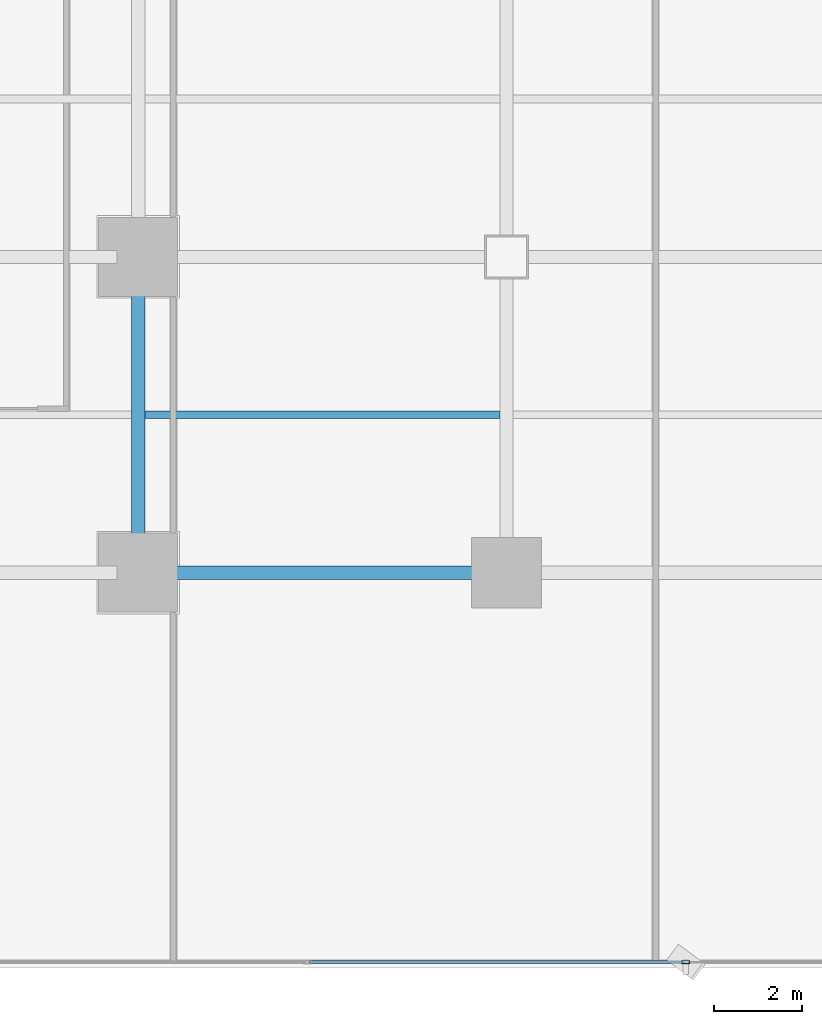
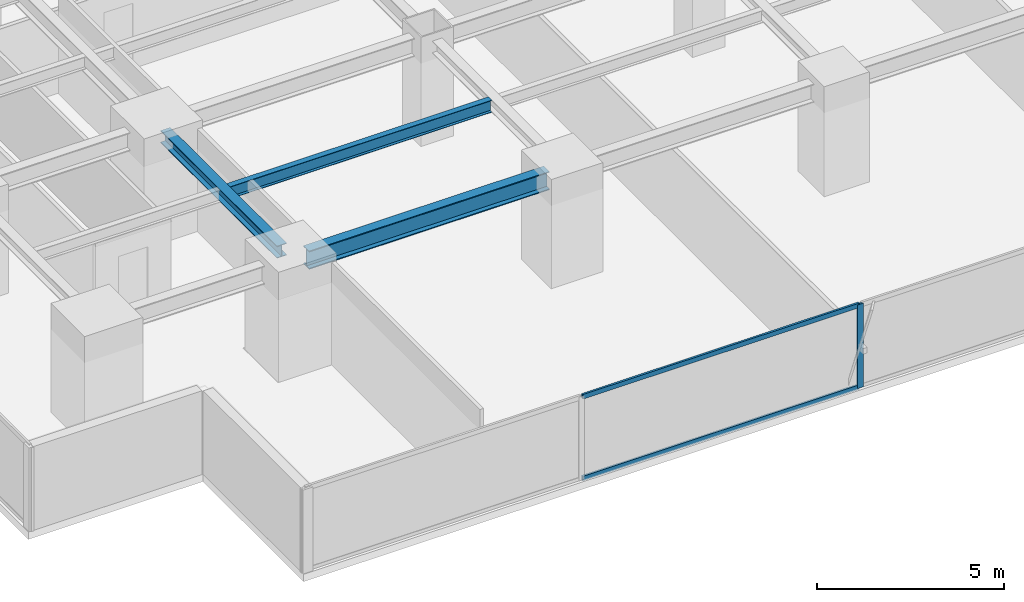
# One storey, part 4 of 33: 3 beams, 3 members, 1 element without a shape of its own.
"""IFC4 building model written with IfcOpenShell, lengths in metres."""

from ifc_helpers import new_model, si_unit, direction, frame, origin, origin_2d, place, context, subcontext, project, spatial, hollow_rectangle, i_section, extrude, source, transform, mapped, material, layer, layer_set, material_profile, profile_set, type_object, element, aggregate, save


model = new_model("IFC4")

# Units and contexts
model_context = context("Model", 3, precision=1e-05, world=origin(), true_north=direction((0.0, 1.0)))
body_context = subcontext(model_context, "Body", "Model", "MODEL_VIEW")
ifc_project = project(units=[si_unit("LENGTHUNIT", "METRE"), si_unit("AREAUNIT", "SQUARE_METRE"), si_unit("VOLUMEUNIT", "CUBIC_METRE"), si_unit("PLANEANGLEUNIT", "RADIAN"), si_unit("MASSUNIT", "GRAM", prefix="KILO")], contexts=[model_context])

# Site, building, storey
site_placement = place(None, origin())
site = spatial("IfcSite", under=ifc_project, at=site_placement, CompositionType="ELEMENT")
building_placement = place(site_placement, origin())
building = spatial("IfcBuilding", under=site, at=building_placement, Name="Sumidabori Civic Tower", CompositionType="ELEMENT")
storey_placement = place(building_placement, frame((0.0, 0.0, 27.199951171875)))
storey = spatial("IfcBuildingStorey", under=building, at=storey_placement, Name="L06", CompositionType="ELEMENT", Elevation=27.199951171875)

# Beams
ifc_material_1 = material(Name="Steel SN490", Category="steel")
ifc_material_profile_1 = material_profile(ifc_material_1, i_section(OverallWidth=0.300048828125, OverallDepth=0.60009765625, WebThickness=0.015380859375, FlangeThickness=0.030029296875, at=origin_2d()), Name="HE 600 B")
ifc_profile_set_1 = profile_set([ifc_material_profile_1], Name="Steel SN490")
beam_type_1 = type_object("IfcBeamType", Name="BM-GIRD-600", PredefinedType="BEAM", material=ifc_profile_set_1)
shared_shape_1 = source(origin(), body_context, "Body", "SweptSolid", [
    extrude(i_section(OverallWidth=0.300048828125, OverallDepth=0.60009765625, WebThickness=0.015380859375, FlangeThickness=0.030029296875, at=origin_2d()), origin(), (0.0, 0.0, 1.0), 7.440185546875),
])
beam_1_placement = place(storey_placement, frame((-16.320068359375, -18.0, 3.06005859375), z_axis=(1.0, 0.0, 0.0), x_axis=(0.0, 1.0, 0.0)))
element("IfcBeam", 1, at=beam_1_placement, inside=storey, type_object=beam_type_1, Name="Primary Girder L06 GX-02", PredefinedType="BEAM", context=body_context, shape_type="MappedRepresentation", body=[
    mapped(shared_shape_1, transform((0.0, 0.0, 0.0), x_axis=(1.0, 0.0, 0.0), y_axis=(0.0, 1.0, 0.0), z_axis=(0.0, 0.0, 1.0), scale=1.0)),
])
ifc_material_profile_2 = material_profile(ifc_material_1, i_section(OverallWidth=0.300048828125, OverallDepth=0.39990234375, WebThickness=0.013427734375, FlangeThickness=0.02392578125, at=origin_2d()), Name="HE 400 B")
ifc_profile_set_2 = profile_set([ifc_material_profile_2], Name="Steel SN490")
beam_type_2 = type_object("IfcBeamType", Name="BM-GIRD-400", PredefinedType="BEAM", material=ifc_profile_set_2)
shared_shape_2 = source(origin(), body_context, "Body", "SweptSolid", [
    extrude(i_section(OverallWidth=0.300048828125, OverallDepth=0.39990234375, WebThickness=0.013427734375, FlangeThickness=0.02392578125, at=origin_2d()), origin(), (0.0, 0.0, 1.0), 6.239990234375),
])
beam_2_placement = place(storey_placement, frame((-16.800048828125, -17.52001953125, 3.16015625), z_axis=(0.0, 1.0, 0.0), x_axis=(-1.0, 0.0, 0.0)))
element("IfcBeam", 2, at=beam_2_placement, inside=storey, type_object=beam_type_2, Name="Primary Girder L06 GY-25", PredefinedType="BEAM", context=body_context, shape_type="MappedRepresentation", body=[
    mapped(shared_shape_2, transform((0.0, 0.0, 0.0), x_axis=(1.0, 0.0, 0.0), y_axis=(0.0, 1.0, 0.0), z_axis=(0.0, 0.0, 1.0), scale=1.0)),
])
ifc_material_profile_3 = material_profile(ifc_material_1, i_section(OverallWidth=0.179931640625, OverallDepth=0.39990234375, WebThickness=0.008544921875, FlangeThickness=0.013427734375, at=origin_2d()), Name="IPE 400")
ifc_profile_set_3 = profile_set([ifc_material_profile_3], Name="Steel SN490")
beam_type_3 = type_object("IfcBeamType", Name="BM-JST-400", PredefinedType="JOIST", material=ifc_profile_set_3)
shared_shape_3 = source(origin(), body_context, "Body", "SweptSolid", [
    extrude(i_section(OverallWidth=0.179931640625, OverallDepth=0.39990234375, WebThickness=0.008544921875, FlangeThickness=0.013427734375, at=origin_2d()), origin(), (0.0, 0.0, 1.0), 8.099853515625),
])
beam_3_placement = place(storey_placement, frame((-16.64990234375, -14.39990234375, 3.16015625), z_axis=(1.0, 0.0, 0.0), x_axis=(0.0, 1.0, 0.0)))
element("IfcBeam", 3, at=beam_3_placement, inside=storey, type_object=beam_type_3, Name="South Bay Floor Joist L06 JSTS-61", PredefinedType="JOIST", context=body_context, shape_type="MappedRepresentation", body=[
    mapped(shared_shape_3, transform((0.0, 0.0, 0.0), x_axis=(1.0, 0.0, 0.0), y_axis=(0.0, 1.0, 0.0), z_axis=(0.0, 0.0, 1.0), scale=1.0)),
])

# Curtain wall, members
ifc_material_2 = material(Name="Anodised Bronze Aluminium AW-6063-T6", Category="aluminium")
ifc_layer = layer(ifc_material_2, 0.179931640625, Name="Anodised Bronze Aluminium AW-6063-T6")
ifc_layer_set = layer_set([ifc_layer], Name="Anodised Bronze Aluminium AW-6063-T6")
curtain_wall_type = type_object("IfcCurtainWallType", Name="CW-SYS-2", PredefinedType="NOTDEFINED", material=ifc_layer_set)
curtain_wall_placement = place(storey_placement, origin())
curtain_wall = element("IfcCurtainWall", 4, at=curtain_wall_placement, inside=storey, type_object=curtain_wall_type, Name="Curtain Wall CW:L06:R01", PredefinedType="NOTDEFINED")
ifc_material_profile_4 = material_profile(ifc_material_2, hollow_rectangle(XDim=0.070068359375, YDim=0.179931640625, WallThickness=0.006103515625, at=origin_2d()), Name="ALU MULLION 180x70")
ifc_profile_set_4 = profile_set([ifc_material_profile_4], Name="Anodised Bronze Aluminium AW-6063-T6")
member_type_1 = type_object("IfcMemberType", Name="CW-MUL-180", PredefinedType="MULLION", material=ifc_profile_set_4)
shared_shape_4 = source(origin(), body_context, "Body", "SweptSolid", [
    extrude(hollow_rectangle(XDim=0.070068359375, YDim=0.179931640625, WallThickness=0.006103515625, at=origin_2d()), origin(), (0.0, 0.0, 1.0), 2.739990234375),
])
member_1_placement = place(storey_placement, frame((-4.31396484375, -26.8798828125, 0.0), z_axis=(0.0, 0.0, 1.0), x_axis=(0.0, 1.0, 0.0)))
member_1 = element("IfcMember", 5, at=member_1_placement, type_object=member_type_1, Name="CW-2 mullion 3", PredefinedType="MULLION", context=body_context, shape_type="MappedRepresentation", body=[
    mapped(shared_shape_4, transform((0.0, 0.0, 0.0), x_axis=(1.0, 0.0, 0.0), y_axis=(0.0, 1.0, 0.0), z_axis=(0.0, 0.0, 1.0), scale=1.0)),
])
ifc_material_profile_5 = material_profile(ifc_material_2, hollow_rectangle(XDim=0.06494140625, YDim=0.14990234375, WallThickness=0.0048828125, at=origin_2d()), Name="ALU TRANSOM 150x65")
ifc_profile_set_5 = profile_set([ifc_material_profile_5], Name="Anodised Bronze Aluminium AW-6063-T6")
member_type_2 = type_object("IfcMemberType", Name="CW-TRN-150", PredefinedType="USERDEFINED", material=ifc_profile_set_5)
shared_shape_5 = source(origin(), body_context, "Body", "SweptSolid", [
    extrude(hollow_rectangle(XDim=0.06494140625, YDim=0.14990234375, WallThickness=0.0048828125, at=origin_2d()), origin(), (0.0, 0.0, 1.0), 8.557861328125),
])
member_2_placement = place(storey_placement, frame((-12.906982421875, -26.8798828125, 0.032470703125), z_axis=(1.0, 0.0, 0.0), x_axis=(0.0, 1.0, 0.0)))
member_2 = element("IfcMember", 6, at=member_2_placement, type_object=member_type_2, Name="CW-2 transom 2.1", ObjectType="TRANSOM", PredefinedType="USERDEFINED", context=body_context, shape_type="MappedRepresentation", body=[
    mapped(shared_shape_5, transform((0.0, 0.0, 0.0), x_axis=(1.0, 0.0, 0.0), y_axis=(0.0, 1.0, 0.0), z_axis=(0.0, 0.0, 1.0), scale=1.0)),
])
member_3_placement = place(storey_placement, frame((-12.906982421875, -26.8798828125, 2.70751953125), z_axis=(1.0, 0.0, 0.0), x_axis=(0.0, 1.0, 0.0)))
member_3 = element("IfcMember", 7, at=member_3_placement, type_object=member_type_2, Name="CW-2 transom 2.2", ObjectType="TRANSOM", PredefinedType="USERDEFINED", context=body_context, shape_type="MappedRepresentation", body=[
    mapped(shared_shape_5, transform((0.0, 0.0, 0.0), x_axis=(1.0, 0.0, 0.0), y_axis=(0.0, 1.0, 0.0), z_axis=(0.0, 0.0, 1.0), scale=1.0)),
])
aggregate(curtain_wall, [member_1, member_2, member_3])

save(model, "model.ifc")
